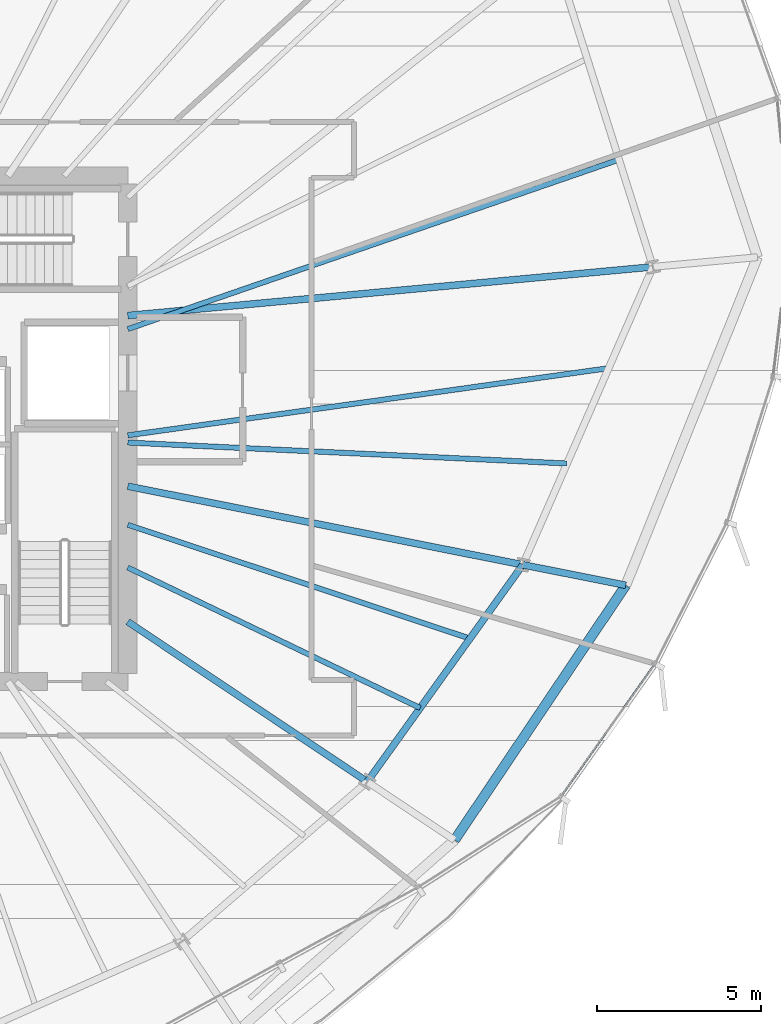
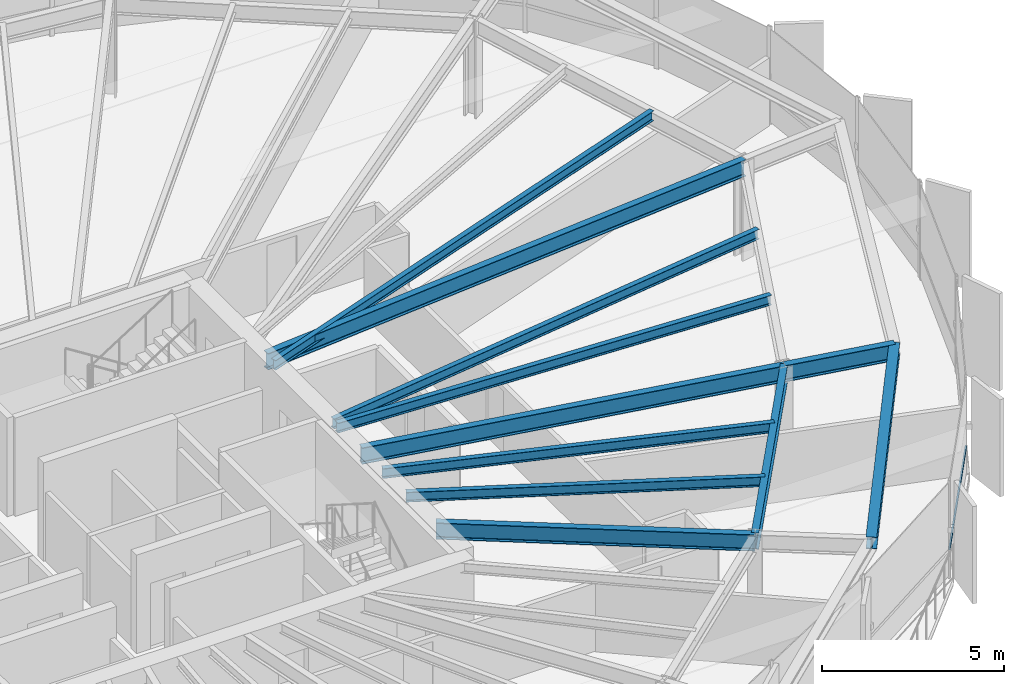
# One storey, part 15 of 36: 11 beams, 1 member, 1 element without a shape of its own.
"""IFC4 building model written with IfcOpenShell, lengths in metres."""

from ifc_helpers import new_model, si_unit, direction, frame, origin, origin_2d, place, context, subcontext, project, spatial, hollow_rectangle, i_section, extrude, source, transform, mapped, material, layer, layer_set, material_profile, profile_set, type_object, element, aggregate, save


model = new_model("IFC4")

# Units and contexts
model_context = context("Model", 3, precision=1e-05, world=origin(), true_north=direction((0.0, 1.0)))
body_context = subcontext(model_context, "Body", "Model", "MODEL_VIEW")
ifc_project = project(units=[si_unit("LENGTHUNIT", "METRE"), si_unit("AREAUNIT", "SQUARE_METRE"), si_unit("VOLUMEUNIT", "CUBIC_METRE"), si_unit("PLANEANGLEUNIT", "RADIAN"), si_unit("MASSUNIT", "GRAM", prefix="KILO"), si_unit("THERMODYNAMICTEMPERATUREUNIT", "KELVIN")], contexts=[model_context])

# Site, building, storey
site_placement = place(None, origin())
site = spatial("IfcSite", under=ifc_project, at=site_placement, CompositionType="ELEMENT")
building_placement = place(site_placement, origin())
building = spatial("IfcBuilding", under=site, at=building_placement, Name="Kethvar Cultural Tower", CompositionType="ELEMENT")
storey_placement = place(building_placement, frame((0.0, 0.0, 143.0)))
storey = spatial("IfcBuildingStorey", under=building, at=storey_placement, Name="L36", CompositionType="ELEMENT", Elevation=143.0)

# Beams
ifc_material_1 = material(Name="Steel S355J2", Category="steel")
ifc_material_profile_1 = material_profile(ifc_material_1, i_section(OverallWidth=0.2099609375, OverallDepth=0.550048828125, WebThickness=0.010986328125, FlangeThickness=0.01708984375, FilletRadius=0.02392578125, at=origin_2d()), Name="Steel S355J2 — IPE550")
ifc_profile_set_1 = profile_set([ifc_material_profile_1], Name="Steel S355J2 — IPE550")
beam_type_1 = type_object("IfcBeamType", Name="BM-IPE550", PredefinedType="BEAM", material=ifc_profile_set_1)
shared_shape_1 = source(origin(), body_context, "Body", "SweptSolid", [
    extrude(i_section(OverallWidth=0.2099609375, OverallDepth=0.550048828125, WebThickness=0.010986328125, FlangeThickness=0.01708984375, FilletRadius=0.02392578125, at=origin_2d()), origin(), (0.0, 0.0, 1.0), 16.071044921875),
])
beam_1_placement = place(storey_placement, frame((55.60009765625, 31.25, 3.02294921875), z_axis=(0.995731009363, 0.092302529718, 0.0), x_axis=(-0.092302529718, 0.995731009363, 0.0)))
element("IfcBeam", 1, at=beam_1_placement, inside=storey, type_object=beam_type_1, Name="L36 Primary Radial Beam RB-01", PredefinedType="BEAM", context=body_context, shape_type="MappedRepresentation", body=[
    mapped(shared_shape_1, transform((0.0, 0.0, 0.0), scale=1.0)),
])
shared_shape_2 = source(origin(), body_context, "Body", "SweptSolid", [
    extrude(i_section(OverallWidth=0.2099609375, OverallDepth=0.550048828125, WebThickness=0.010986328125, FlangeThickness=0.01708984375, FilletRadius=0.02392578125, at=origin_2d()), origin(), (0.0, 0.0, 1.0), 3.199951171875),
])
beam_2_placement = place(storey_placement, frame((67.638671875, 23.65478515625, 3.02294921875), z_axis=(0.980785550224, -0.195088965533, 0.0), x_axis=(0.195088965533, 0.980785550224, 0.0)))
element("IfcBeam", 2, at=beam_2_placement, inside=storey, type_object=beam_type_1, Name="L36 Perimeter Cantilever Beam RC-16", PredefinedType="BEAM", context=body_context, shape_type="MappedRepresentation", body=[
    mapped(shared_shape_2, transform((0.0, 0.0, 0.0), scale=1.0)),
])
shared_shape_3 = source(origin(), body_context, "Body", "SweptSolid", [
    extrude(i_section(OverallWidth=0.2099609375, OverallDepth=0.550048828125, WebThickness=0.010986328125, FlangeThickness=0.01708984375, FilletRadius=0.02392578125, at=origin_2d()), origin(), (0.0, 0.0, 1.0), 8.77783203125),
])
beam_3_placement = place(storey_placement, frame((55.60009765625, 21.919921875, 3.02294921875), z_axis=(0.831472186778, -0.555566380026, 0.0), x_axis=(0.555566380026, 0.831472186778, 0.0)))
element("IfcBeam", 3, at=beam_3_placement, inside=storey, type_object=beam_type_1, Name="L36 Primary Radial Beam RB-15", PredefinedType="BEAM", context=body_context, shape_type="MappedRepresentation", body=[
    mapped(shared_shape_3, transform((0.0, 0.0, 0.0), scale=1.0)),
])
shared_shape_4 = source(origin(), body_context, "Body", "SweptSolid", [
    extrude(i_section(OverallWidth=0.2099609375, OverallDepth=0.550048828125, WebThickness=0.010986328125, FlangeThickness=0.01708984375, FilletRadius=0.02392578125, at=origin_2d()), origin(), (0.0, 0.0, 1.0), 12.2744140625),
])
beam_4_placement = place(storey_placement, frame((55.60009765625, 26.049560546875, 3.02294921875), z_axis=(0.980782878234, -0.195102398146, 0.0), x_axis=(0.195102398146, 0.980782878234, 0.0)))
element("IfcBeam", 4, at=beam_4_placement, inside=storey, type_object=beam_type_1, Name="L36 Primary Radial Beam RB-16", PredefinedType="BEAM", context=body_context, shape_type="MappedRepresentation", body=[
    mapped(shared_shape_4, transform((0.0, 0.0, 0.0), scale=1.0)),
])
ifc_material_profile_2 = material_profile(ifc_material_1, i_section(OverallWidth=0.159912109375, OverallDepth=0.330078125, WebThickness=0.007568359375, FlangeThickness=0.011474609375, FilletRadius=0.01806640625, at=origin_2d()), Name="Steel S355J2 — IPE330")
ifc_profile_set_2 = profile_set([ifc_material_profile_2], Name="Steel S355J2 — IPE330")
beam_type_2 = type_object("IfcBeamType", Name="BM-J330", PredefinedType="JOIST", material=ifc_profile_set_2)
shared_shape_5 = source(origin(), body_context, "Body", "SweptSolid", [
    extrude(i_section(OverallWidth=0.159912109375, OverallDepth=0.330078125, WebThickness=0.007568359375, FlangeThickness=0.011474609375, FilletRadius=0.01806640625, at=origin_2d()), origin(), (0.0, 0.0, 1.0), 15.836669921875),
])
beam_5_placement = place(storey_placement, frame((55.60009765625, 30.836181640625, 3.133056640625), z_axis=(0.945315135904, 0.326158387644, 0.0), x_axis=(-0.326158387644, 0.945315135904, 0.0)))
element("IfcBeam", 5, at=beam_5_placement, inside=storey, type_object=beam_type_2, Name="L36 Composite Floor Joist J-01A", PredefinedType="JOIST", context=body_context, shape_type="MappedRepresentation", body=[
    mapped(shared_shape_5, transform((0.0, 0.0, 0.0), scale=1.0)),
])
shared_shape_6 = source(origin(), body_context, "Body", "SweptSolid", [
    extrude(i_section(OverallWidth=0.2099609375, OverallDepth=0.550048828125, WebThickness=0.010986328125, FlangeThickness=0.01708984375, FilletRadius=0.02392578125, at=origin_2d()), origin(), (0.0, 0.0, 1.0), 8.13525390625),
])
beam_6_placement = place(storey_placement, frame((62.898681640625, 17.043212890625, 3.02294921875), z_axis=(0.582656731995, 0.812718359988, 0.0), x_axis=(-0.812718359988, 0.582656731995, 0.0)))
element("IfcBeam", 6, at=beam_6_placement, inside=storey, type_object=beam_type_1, Name="L36 Column Ring Tie Beam CR-15", PredefinedType="BEAM", context=body_context, shape_type="MappedRepresentation", body=[
    mapped(shared_shape_6, transform((0.0, 0.0, 0.0), scale=1.0)),
])
ifc_material_profile_3 = material_profile(ifc_material_1, i_section(OverallWidth=0.300048828125, OverallDepth=0.39990234375, WebThickness=0.013427734375, FlangeThickness=0.02392578125, FilletRadius=0.027099609375, at=origin_2d()), Name="Steel S355J2 — HEB400")
ifc_profile_set_3 = profile_set([ifc_material_profile_3], Name="Steel S355J2 — HEB400")
beam_type_3 = type_object("IfcBeamType", Name="BM-SP400", PredefinedType="SPANDREL", material=ifc_profile_set_3)
shared_shape_7 = source(origin(), body_context, "Body", "SweptSolid", [
    extrude(i_section(OverallWidth=0.300048828125, OverallDepth=0.39990234375, WebThickness=0.013427734375, FlangeThickness=0.02392578125, FilletRadius=0.027099609375, at=origin_2d()), origin(), (0.0, 0.0, 1.0), 9.355224609375),
])
beam_7_placement = place(storey_placement, frame((65.559326171875, 15.265380859375, 3.097900390625), z_axis=(0.557731714622, 0.830021285573, 0.0), x_axis=(-0.830021285573, 0.557731714622, 0.0)))
element("IfcBeam", 7, at=beam_7_placement, inside=storey, type_object=beam_type_3, Name="L36 Perimeter Spandrel Beam SP-15", PredefinedType="SPANDREL", context=body_context, shape_type="MappedRepresentation", body=[
    mapped(shared_shape_7, transform((0.0, 0.0, 0.0), scale=1.0)),
])
shared_shape_8 = source(origin(), body_context, "Body", "SweptSolid", [
    extrude(i_section(OverallWidth=0.159912109375, OverallDepth=0.330078125, WebThickness=0.007568359375, FlangeThickness=0.011474609375, FilletRadius=0.01806640625, at=origin_2d()), origin(), (0.0, 0.0, 1.0), 9.885009765625),
])
beam_8_placement = place(storey_placement, frame((55.60009765625, 23.572021484375, 3.133056640625), z_axis=(0.901369611334, -0.43305060185, 0.0), x_axis=(0.43305060185, 0.901369611334, 0.0)))
element("IfcBeam", 8, at=beam_8_placement, inside=storey, type_object=beam_type_2, Name="L36 Composite Floor Joist J-15A", PredefinedType="JOIST", context=body_context, shape_type="MappedRepresentation", body=[
    mapped(shared_shape_8, transform((0.0, 0.0, 0.0), scale=1.0)),
])
shared_shape_9 = source(origin(), body_context, "Body", "SweptSolid", [
    extrude(i_section(OverallWidth=0.159912109375, OverallDepth=0.330078125, WebThickness=0.007568359375, FlangeThickness=0.011474609375, FilletRadius=0.01806640625, at=origin_2d()), origin(), (0.0, 0.0, 1.0), 10.98828125),
])
beam_9_placement = place(storey_placement, frame((55.60009765625, 24.8740234375, 3.133056640625), z_axis=(0.948918548228, -0.315521138481, 0.0), x_axis=(0.315521138481, 0.948918548228, 0.0)))
element("IfcBeam", 9, at=beam_9_placement, inside=storey, type_object=beam_type_2, Name="L36 Composite Floor Joist J-15B", PredefinedType="JOIST", context=body_context, shape_type="MappedRepresentation", body=[
    mapped(shared_shape_9, transform((0.0, 0.0, 0.0), scale=1.0)),
])
shared_shape_10 = source(origin(), body_context, "Body", "SweptSolid", [
    extrude(i_section(OverallWidth=0.159912109375, OverallDepth=0.330078125, WebThickness=0.007568359375, FlangeThickness=0.011474609375, FilletRadius=0.01806640625, at=origin_2d()), origin(), (0.0, 0.0, 1.0), 13.4013671875),
])
beam_10_placement = place(storey_placement, frame((55.60009765625, 27.380126953125, 3.133056640625), z_axis=(0.998864631653, -0.047638719894, 0.0), x_axis=(0.047638719894, 0.998864631653, 0.0)))
element("IfcBeam", 10, at=beam_10_placement, inside=storey, type_object=beam_type_2, Name="L36 Composite Floor Joist J-16A", PredefinedType="JOIST", context=body_context, shape_type="MappedRepresentation", body=[
    mapped(shared_shape_10, transform((0.0, 0.0, 0.0), scale=1.0)),
])
shared_shape_11 = source(origin(), body_context, "Body", "SweptSolid", [
    extrude(i_section(OverallWidth=0.159912109375, OverallDepth=0.330078125, WebThickness=0.007568359375, FlangeThickness=0.011474609375, FilletRadius=0.01806640625, at=origin_2d()), origin(), (0.0, 0.0, 1.0), 14.797119140625),
])
beam_11_placement = place(storey_placement, frame((55.60009765625, 27.60009765625, 3.133056640625), z_axis=(0.990388450305, 0.138313836986, 0.0), x_axis=(-0.138313836986, 0.990388450305, 0.0)))
element("IfcBeam", 11, at=beam_11_placement, inside=storey, type_object=beam_type_2, Name="L36 Composite Floor Joist J-16B", PredefinedType="JOIST", context=body_context, shape_type="MappedRepresentation", body=[
    mapped(shared_shape_11, transform((0.0, 0.0, 0.0), scale=1.0)),
])

# Curtain wall, member
ifc_material_2 = material(Name="Aluminium 6063-T6", Category="aluminium")
ifc_layer = layer(ifc_material_2, 0.179931640625, Name="Aluminium 6063-T6", Category="aluminium")
ifc_layer_set = layer_set([ifc_layer], Name="Aluminium 6063-T6 (180 mm)")
curtain_wall_type = type_object("IfcCurtainWallType", Name="CW-SYS-04-Z34", PredefinedType="NOTDEFINED", material=ifc_layer_set)
curtain_wall_placement = place(storey_placement, origin())
curtain_wall = element("IfcCurtainWall", 12, at=curtain_wall_placement, inside=storey, type_object=curtain_wall_type, Name="L36 Curtain Wall Run 06", PredefinedType="NOTDEFINED")
ifc_material_profile_4 = material_profile(ifc_material_2, hollow_rectangle(XDim=0.050048828125, YDim=0.10009765625, WallThickness=0.00390625, at=origin_2d()), Name="Aluminium 6063-T6 — RHS100x50x4")
ifc_profile_set_4 = profile_set([ifc_material_profile_4], Name="Aluminium 6063-T6 — RHS100x50x4")
member_type = type_object("IfcMemberType", Name="CW-SYS-04-Z34-TRN", PredefinedType="USERDEFINED", material=ifc_profile_set_4)
shared_shape_12 = source(origin(), body_context, "Body", "SweptSolid", [
    extrude(hollow_rectangle(XDim=0.050048828125, YDim=0.10009765625, WallThickness=0.00390625, at=origin_2d()), origin(), (0.0, 0.0, 1.0), 4.893798828125),
])
member_placement = place(storey_placement, frame((68.822998046875, 16.623779296875, 0.949951171875), z_axis=(0.577399837145, 0.816461528833, 0.0), x_axis=(-0.816461528833, 0.577399837145, 0.0)))
member = element("IfcMember", 13, at=member_placement, type_object=member_type, Name="CW-L36-R06 Transom 4", ObjectType="TRANSOM", PredefinedType="USERDEFINED", context=body_context, shape_type="MappedRepresentation", body=[
    mapped(shared_shape_12, transform((0.0, 0.0, 0.0), scale=1.0)),
])
aggregate(curtain_wall, [member])

save(model, "model.ifc")
